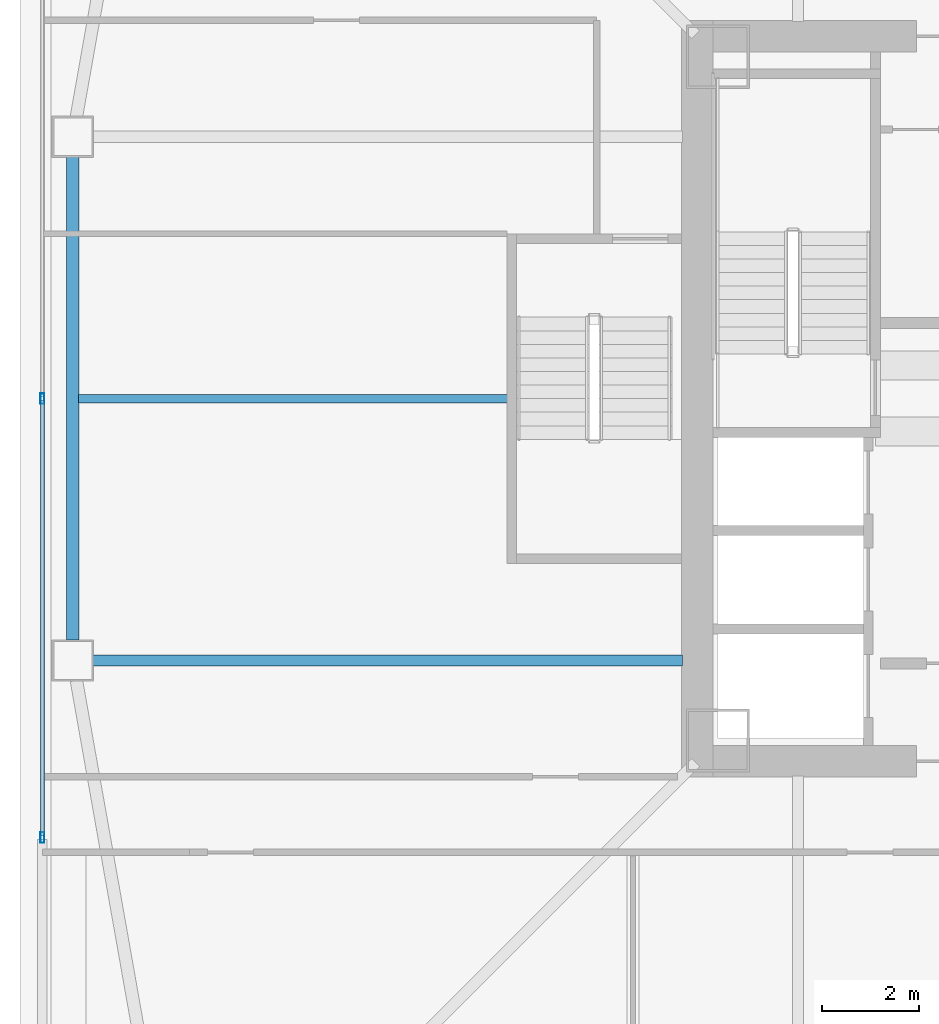
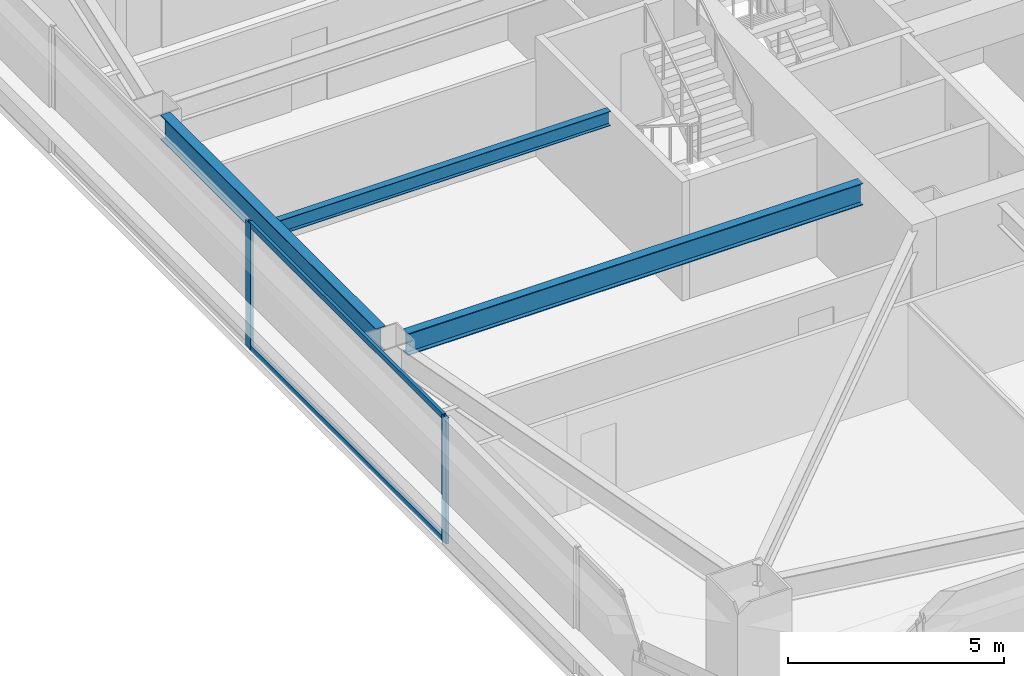
# One storey, part 6 of 47: 4 members, 3 beams, 1 element without a shape of its own.
"""IFC4 building model written with IfcOpenShell, lengths in metres."""

from ifc_helpers import new_model, si_unit, direction, frame, origin, origin_2d, place, context, subcontext, project, spatial, hollow_rectangle, i_section, extrude, material, material_profile, profile_set, type_object, element, aggregate, save


model = new_model("IFC4")

# Units and contexts
model_context = context("Model", 3, precision=1e-05, world=origin(), true_north=direction((0.0, 1.0)))
body_context = subcontext(model_context, "Body", "Model", "MODEL_VIEW")
ifc_project = project(units=[si_unit("LENGTHUNIT", "METRE"), si_unit("AREAUNIT", "SQUARE_METRE"), si_unit("VOLUMEUNIT", "CUBIC_METRE"), si_unit("PLANEANGLEUNIT", "RADIAN"), si_unit("MASSUNIT", "GRAM", prefix="KILO")], contexts=[model_context])

# Site, building, storey
site_placement = place(None, origin())
site = spatial("IfcSite", under=ifc_project, at=site_placement, CompositionType="ELEMENT")
building_placement = place(site_placement, origin())
building = spatial("IfcBuilding", under=site, at=building_placement, Name="Tashvorn Skyway Center", CompositionType="ELEMENT")
storey_placement = place(building_placement, frame((0.0, 0.0, 81.39990234375)))
storey = spatial("IfcBuildingStorey", under=building, at=storey_placement, Name="L21", CompositionType="ELEMENT", Elevation=81.39990234375)

# Beams
ifc_material_1 = material(Name="Steel ASTM A992 Grade 50", Category="steel")
ifc_material_profile_1 = material_profile(ifc_material_1, i_section(OverallWidth=0.22998046875, OverallDepth=0.616943359375, WebThickness=0.01318359375, FlangeThickness=0.022216796875, at=origin_2d()), Name="W24X94")
ifc_profile_set_1 = profile_set([ifc_material_profile_1], Name="Steel ASTM A992 Grade 50")
beam_type_1 = type_object("IfcBeamType", Name="BM-BEAM-W24X94", PredefinedType="BEAM", material=ifc_profile_set_1)
beam_1_placement = place(storey_placement, frame((22.070068359375, 26.60009765625, 3.04150390625), z_axis=(1.0, 0.0, 0.0), x_axis=(0.0, 1.0, 0.0)))
element("IfcBeam", 1, at=beam_1_placement, inside=storey, type_object=beam_type_1, Name="Tower 1 L21 Primary Floor Girder FC-W2", PredefinedType="BEAM", context=body_context, shape_type="SweptSolid", body=[
    extrude(i_section(OverallWidth=0.22998046875, OverallDepth=0.616943359375, WebThickness=0.01318359375, FlangeThickness=0.022216796875, at=origin_2d()), origin(), (0.0, 0.0, 1.0), 12.14990234375),
])
ifc_material_profile_2 = material_profile(ifc_material_1, i_section(OverallWidth=0.177978515625, OverallDepth=0.406005859375, WebThickness=0.0078125, FlangeThickness=0.0126953125, at=origin_2d()), Name="W16X40")
ifc_profile_set_2 = profile_set([ifc_material_profile_2], Name="Steel ASTM A992 Grade 50")
beam_type_2 = type_object("IfcBeamType", Name="BM-JOIST-W16X40", PredefinedType="JOIST", material=ifc_profile_set_2)
beam_2_placement = place(storey_placement, frame((30.610107421875, 32.0, 3.147216796875), z_axis=(-1.0, 0.0, 0.0), x_axis=(0.0, -1.0, 0.0)))
element("IfcBeam", 2, at=beam_2_placement, inside=storey, type_object=beam_type_2, Name="Tower 1 L21 Secondary Composite Joist JW", PredefinedType="JOIST", context=body_context, shape_type="SweptSolid", body=[
    extrude(i_section(OverallWidth=0.177978515625, OverallDepth=0.406005859375, WebThickness=0.0078125, FlangeThickness=0.0126953125, at=origin_2d()), origin(), (0.0, 0.0, 1.0), 8.840087890625),
])
ifc_material_profile_3 = material_profile(ifc_material_1, i_section(OverallWidth=0.256103515625, OverallDepth=0.693115234375, WebThickness=0.014404296875, FlangeThickness=0.023681640625, at=origin_2d()), Name="W27X114")
ifc_profile_set_3 = profile_set([ifc_material_profile_3], Name="Steel ASTM A992 Grade 50")
beam_type_3 = type_object("IfcBeamType", Name="BM-SPANDREL-W27X114", PredefinedType="SPANDREL", material=ifc_profile_set_3)
beam_3_placement = place(storey_placement, frame((21.64990234375, 36.97998046875, 3.003662109375), z_axis=(0.0, -1.0, 0.0), x_axis=(1.0, 0.0, 0.0)))
element("IfcBeam", 3, at=beam_3_placement, inside=storey, type_object=beam_type_3, Name="Tower 1 L21 Spandrel Beam 11", PredefinedType="SPANDREL", context=body_context, shape_type="SweptSolid", body=[
    extrude(i_section(OverallWidth=0.256103515625, OverallDepth=0.693115234375, WebThickness=0.014404296875, FlangeThickness=0.023681640625, at=origin_2d()), origin(), (0.0, 0.0, 1.0), 9.9599609375),
])

# Curtain wall, members
ifc_material_2 = material(Name="Thermally broken bronze-anodized aluminium 6063-T6", Category="aluminium")
curtain_wall_type = type_object("IfcCurtainWallType", Name="CW-CW-Z2", PredefinedType="NOTDEFINED", material=ifc_material_2)
curtain_wall_placement = place(storey_placement, origin())
curtain_wall = element("IfcCurtainWall", 4, at=curtain_wall_placement, inside=storey, type_object=curtain_wall_type, Name="Tower 1 L21 West Unitised Curtain Wall Glazing Group 2", PredefinedType="NOTDEFINED")
ifc_material_profile_4 = material_profile(ifc_material_2, hollow_rectangle(XDim=0.080078125, YDim=0.219970703125, WallThickness=0.0048828125, at=origin_2d()), Name="ALU-MULL-80x220")
ifc_profile_set_4 = profile_set([ifc_material_profile_4], Name="Thermally broken bronze-anodized aluminium 6063-T6")
member_type_1 = type_object("IfcMemberType", Name="CWM-CW-Z2", PredefinedType="MULLION", material=ifc_profile_set_4)
member_1_placement = place(storey_placement, frame((21.02001953125, 22.949951171875, 0.0), z_axis=(0.0, 0.0, 1.0), x_axis=(-1.0, 0.0, 0.0)))
member_1 = element("IfcMember", 5, at=member_1_placement, type_object=member_type_1, Name="CW-Z2 mullion 1", PredefinedType="MULLION", context=body_context, shape_type="SweptSolid", body=[
    extrude(hollow_rectangle(XDim=0.080078125, YDim=0.219970703125, WallThickness=0.0048828125, at=origin_2d()), origin(), (0.0, 0.0, 1.0), 3.550048828125),
])
member_2_placement = place(storey_placement, frame((21.02001953125, 32.0, 0.0), z_axis=(0.0, 0.0, 1.0), x_axis=(-1.0, 0.0, 0.0)))
member_2 = element("IfcMember", 6, at=member_2_placement, type_object=member_type_1, Name="CW-Z2 mullion 2", PredefinedType="MULLION", context=body_context, shape_type="SweptSolid", body=[
    extrude(hollow_rectangle(XDim=0.080078125, YDim=0.219970703125, WallThickness=0.0048828125, at=origin_2d()), origin(), (0.0, 0.0, 1.0), 3.550048828125),
])
ifc_material_profile_5 = material_profile(ifc_material_2, hollow_rectangle(XDim=0.080078125, YDim=0.14990234375, WallThickness=0.00439453125, at=origin_2d()), Name="ALU-TRAN-80x150")
ifc_profile_set_5 = profile_set([ifc_material_profile_5], Name="Thermally broken bronze-anodized aluminium 6063-T6")
member_type_2 = type_object("IfcMemberType", Name="CWT-CW-Z2", PredefinedType="USERDEFINED", material=ifc_profile_set_5)
member_3_placement = place(storey_placement, frame((21.02001953125, 22.989990234375, 0.0400390625), z_axis=(0.0, 1.0, 0.0), x_axis=(-1.0, 0.0, 0.0)))
member_3 = element("IfcMember", 7, at=member_3_placement, type_object=member_type_2, Name="CW-Z2 transom 1.1", ObjectType="TRANSOM", PredefinedType="USERDEFINED", context=body_context, shape_type="SweptSolid", body=[
    extrude(hollow_rectangle(XDim=0.080078125, YDim=0.14990234375, WallThickness=0.00439453125, at=origin_2d()), origin(), (0.0, 0.0, 1.0), 8.969970703125),
])
member_4_placement = place(storey_placement, frame((21.02001953125, 22.989990234375, 3.510009765625), z_axis=(0.0, 1.0, 0.0), x_axis=(-1.0, 0.0, 0.0)))
member_4 = element("IfcMember", 8, at=member_4_placement, type_object=member_type_2, Name="CW-Z2 transom 1.2", ObjectType="TRANSOM", PredefinedType="USERDEFINED", context=body_context, shape_type="SweptSolid", body=[
    extrude(hollow_rectangle(XDim=0.080078125, YDim=0.14990234375, WallThickness=0.00439453125, at=origin_2d()), origin(), (0.0, 0.0, 1.0), 8.969970703125),
])
aggregate(curtain_wall, [member_1, member_2, member_3, member_4])

save(model, "model.ifc")
